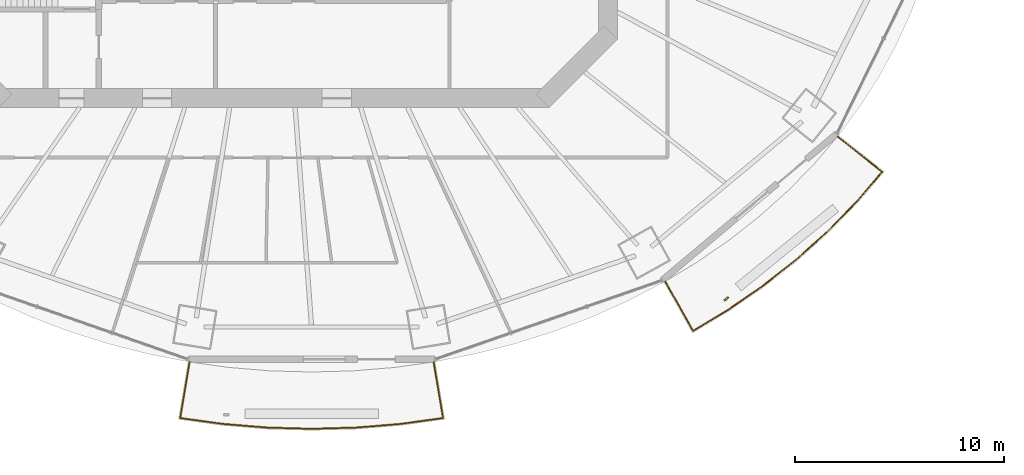
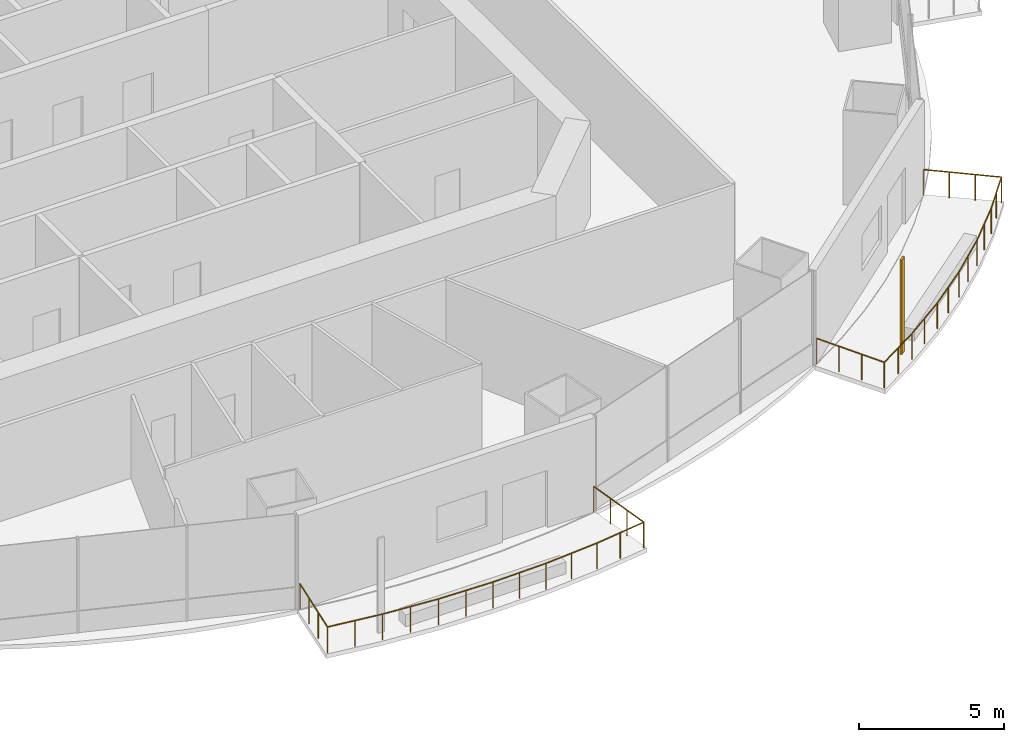
# One storey, part 15 of 19: 2 railings, 1 shading device.
"""IFC4 building model written with IfcOpenShell, lengths in metres."""

from ifc_helpers import new_model, si_unit, direction, frame, origin, origin_2d, place, context, subcontext, project, spatial, rectangle, circle, extrude, material, material_profile, profile_set, type_object, element, save


model = new_model("IFC4")

# Units and contexts
model_context = context("Model", 3, precision=1e-05, world=origin(), true_north=direction((0.0, 1.0)))
body_context = subcontext(model_context, "Body", "Model", "MODEL_VIEW")
ifc_project = project(units=[si_unit("LENGTHUNIT", "METRE"), si_unit("AREAUNIT", "SQUARE_METRE"), si_unit("VOLUMEUNIT", "CUBIC_METRE"), si_unit("PLANEANGLEUNIT", "RADIAN"), si_unit("MASSUNIT", "GRAM", prefix="KILO")], contexts=[model_context])

# Site, building, storey
site_placement = place(None, origin())
site = spatial("IfcSite", under=ifc_project, at=site_placement, CompositionType="ELEMENT")
building_placement = place(site_placement, origin())
building = spatial("IfcBuilding", under=site, at=building_placement, Name="Marenthal Gate Tower", CompositionType="ELEMENT")
storey_placement = place(building_placement, frame((0.0, 0.0, 239.89990234375)))
storey = spatial("IfcBuildingStorey", under=building, at=storey_placement, Name="L53", CompositionType="ELEMENT", Elevation=239.89990234375)

# Railings
ifc_material_1 = material(Name="Stainless steel", Category="steel")
railing_type = type_object("IfcRailingType", Name="Balcony guard 1100", PredefinedType="GUARDRAIL", material=ifc_material_1)
railing_1_placement = place(storey_placement, frame((7.64501953125, -25.641845703125, 0.0)))
element("IfcRailing", 1, at=railing_1_placement, inside=storey, type_object=railing_type, Name="Balcony guard L53 bay 12", PredefinedType="GUARDRAIL", context=body_context, shape_type="SweptSolid", body=[
    extrude(circle(Radius=0.02392578125, at=origin_2d()), frame((0.0, 0.0, 1.076171875), z_axis=(0.164948938016, -0.986193623428, -0.014628224645), x_axis=(0.986299155665, 0.164966589145, 0.0)), (0.0, 0.0, 1.0), 2.720458984375),
    extrude(circle(Radius=0.02392578125, at=origin_2d()), frame((0.44873046875, -2.682861328125, 1.0361328125), z_axis=(-0.990660551033, -0.13635128392, 0.0), x_axis=(0.13635128392, -0.990660551033, 0.0)), (0.0, 0.0, 1.0), 2.050048828125),
    extrude(circle(Radius=0.02392578125, at=origin_2d()), frame((-1.582275390625, -2.96240234375, 1.0361328125), z_axis=(-0.996592931449, -0.082477445314, 0.0), x_axis=(0.082477445314, -0.996592931449, 0.0)), (0.0, 0.0, 1.0), 2.13427734375),
    extrude(circle(Radius=0.02392578125, at=origin_2d()), frame((-3.709228515625, -3.138427734375, 1.0361328125), z_axis=(-0.999620737923, -0.027538705743, 0.0), x_axis=(0.027538705743, -0.999620737923, 0.0)), (0.0, 0.0, 1.0), 2.136474609375),
    extrude(circle(Radius=0.02392578125, at=origin_2d()), frame((-5.844970703125, -3.197265625, 1.0361328125), z_axis=(-0.999620737923, 0.027538705743, 0.0), x_axis=(-0.027538705743, -0.999620737923, 0.0)), (0.0, 0.0, 1.0), 2.136474609375),
    extrude(circle(Radius=0.02392578125, at=origin_2d()), frame((-7.980712890625, -3.138427734375, 1.0361328125), z_axis=(-0.996593709479, 0.082468043674, 0.0), x_axis=(-0.082468043674, -0.996593709479, 0.0)), (0.0, 0.0, 1.0), 2.134521484375),
    extrude(circle(Radius=0.02392578125, at=origin_2d()), frame((-10.10791015625, -2.96240234375, 1.0361328125), z_axis=(-0.990660551033, 0.13635128392, 0.0), x_axis=(-0.13635128392, -0.990660551033, 0.0)), (0.0, 0.0, 1.0), 2.050048828125),
    extrude(circle(Radius=0.02392578125, at=origin_2d()), frame((-12.138916015625, -2.682861328125, 1.0361328125), z_axis=(0.165036238026, 0.986179021029, 0.014628008047), x_axis=(-0.986284548578, 0.165053897974, 0.0)), (0.0, 0.0, 1.0), 2.720458984375),
    extrude(circle(Radius=0.02099609375, at=origin_2d()), origin(), (0.0, 0.0, 1.0), 1.052001953125),
    extrude(circle(Radius=0.02099609375, at=origin_2d()), frame((0.149658203125, -0.894287109375, -0.01318359375)), (0.0, 0.0, 1.0), 1.052001953125),
    extrude(circle(Radius=0.02099609375, at=origin_2d()), frame((0.299072265625, -1.78857421875, -0.026611328125)), (0.0, 0.0, 1.0), 1.052001953125),
    extrude(circle(Radius=0.02099609375, at=origin_2d()), frame((0.44873046875, -2.682861328125, -0.039794921875)), (0.0, 0.0, 1.0), 1.052001953125),
    extrude(circle(Radius=0.02099609375, at=origin_2d()), frame((-0.56689453125, -2.82275390625, -0.039794921875)), (0.0, 0.0, 1.0), 1.052001953125),
    extrude(circle(Radius=0.02099609375, at=origin_2d()), frame((-1.582275390625, -2.96240234375, -0.039794921875)), (0.0, 0.0, 1.0), 1.052001953125),
    extrude(circle(Radius=0.02099609375, at=origin_2d()), frame((-2.645751953125, -3.05029296875, -0.039794921875)), (0.0, 0.0, 1.0), 1.052001953125),
    extrude(circle(Radius=0.02099609375, at=origin_2d()), frame((-3.709228515625, -3.138427734375, -0.039794921875)), (0.0, 0.0, 1.0), 1.052001953125),
    extrude(circle(Radius=0.02099609375, at=origin_2d()), frame((-4.777099609375, -3.16796875, -0.039794921875)), (0.0, 0.0, 1.0), 1.052001953125),
    extrude(circle(Radius=0.02099609375, at=origin_2d()), frame((-5.844970703125, -3.197265625, -0.039794921875)), (0.0, 0.0, 1.0), 1.052001953125),
    extrude(circle(Radius=0.02099609375, at=origin_2d()), frame((-6.912841796875, -3.16796875, -0.039794921875)), (0.0, 0.0, 1.0), 1.052001953125),
    extrude(circle(Radius=0.02099609375, at=origin_2d()), frame((-7.980712890625, -3.138427734375, -0.039794921875)), (0.0, 0.0, 1.0), 1.052001953125),
    extrude(circle(Radius=0.02099609375, at=origin_2d()), frame((-9.04443359375, -3.05029296875, -0.039794921875)), (0.0, 0.0, 1.0), 1.052001953125),
    extrude(circle(Radius=0.02099609375, at=origin_2d()), frame((-10.10791015625, -2.96240234375, -0.039794921875)), (0.0, 0.0, 1.0), 1.052001953125),
    extrude(circle(Radius=0.02099609375, at=origin_2d()), frame((-11.12353515625, -2.82275390625, -0.039794921875)), (0.0, 0.0, 1.0), 1.052001953125),
    extrude(circle(Radius=0.02099609375, at=origin_2d()), frame((-12.138916015625, -2.682861328125, -0.039794921875)), (0.0, 0.0, 1.0), 1.052001953125),
    extrude(circle(Radius=0.02099609375, at=origin_2d()), frame((-11.9892578125, -1.78857421875, -0.026611328125)), (0.0, 0.0, 1.0), 1.052001953125),
    extrude(circle(Radius=0.02099609375, at=origin_2d()), frame((-11.839599609375, -0.894287109375, -0.01318359375)), (0.0, 0.0, 1.0), 1.052001953125),
    extrude(circle(Radius=0.02099609375, at=origin_2d()), frame((-11.68994140625, 0.0, 0.0)), (0.0, 0.0, 1.0), 1.052001953125),
])
railing_2_placement = place(storey_placement, frame((26.997802734375, -14.84033203125, 0.0)))
element("IfcRailing", 2, at=railing_2_placement, inside=storey, type_object=railing_type, Name="Balcony guard L53 bay 14", PredefinedType="GUARDRAIL", context=body_context, shape_type="SweptSolid", body=[
    extrude(circle(Radius=0.02392578125, at=origin_2d()), frame((0.0, 0.0, 1.076171875), z_axis=(0.782978191442, -0.621877107806, -0.014629234893), x_axis=(0.621943663853, 0.783061989241, 0.0)), (0.0, 0.0, 1.0), 2.72021484375),
    extrude(circle(Radius=0.02392578125, at=origin_2d()), frame((2.1298828125, -1.691650390625, 1.0361328125), z_axis=(-0.649918406787, -0.760003989805, 0.0), x_axis=(0.760003989805, -0.649918406787, 0.0)), (0.0, 0.0, 1.0), 1.889404296875),
    extrude(circle(Radius=0.02392578125, at=origin_2d()), frame((0.90185546875, -3.127685546875, 1.0361328125), z_axis=(-0.698634154887, -0.715479082591, 0.0), x_axis=(0.715479082591, -0.698634154887, 0.0)), (0.0, 0.0, 1.0), 1.985595703125),
    extrude(circle(Radius=0.02392578125, at=origin_2d()), frame((-0.4853515625, -4.54833984375, 1.0361328125), z_axis=(-0.74417856937, -0.667980730927, 0.0), x_axis=(0.667980730927, -0.74417856937, 0.0)), (0.0, 0.0, 1.0), 2.00244140625),
    extrude(circle(Radius=0.02392578125, at=origin_2d()), frame((-1.9755859375, -5.885986328125, 1.0361328125), z_axis=(-0.785764137511, -0.618526248595, 0.0), x_axis=(0.618526248595, -0.785764137511, 0.0)), (0.0, 0.0, 1.0), 2.01904296875),
    extrude(circle(Radius=0.02392578125, at=origin_2d()), frame((-3.56201171875, -7.134765625, 1.0361328125), z_axis=(-0.823201188943, -0.567749771046, 0.0), x_axis=(0.567749771046, -0.823201188943, 0.0)), (0.0, 0.0, 1.0), 2.03564453125),
    extrude(circle(Radius=0.02392578125, at=origin_2d()), frame((-5.23779296875, -8.29052734375, 1.0361328125), z_axis=(-0.855948649987, -0.517060836445, 0.0), x_axis=(0.517060836445, -0.855948649987, 0.0)), (0.0, 0.0, 1.0), 1.9716796875),
    extrude(circle(Radius=0.02392578125, at=origin_2d()), frame((-6.925537109375, -9.31005859375, 1.0361328125), z_axis=(-0.489829514124, 0.871695505806, 0.014628473947), x_axis=(-0.871788788819, -0.489881932397, 0.0)), (0.0, 0.0, 1.0), 2.720458984375),
    extrude(circle(Radius=0.02099609375, at=origin_2d()), origin(), (0.0, 0.0, 1.0), 1.052001953125),
    extrude(circle(Radius=0.02099609375, at=origin_2d()), frame((0.7099609375, -0.56396484375, -0.01318359375)), (0.0, 0.0, 1.0), 1.052001953125),
    extrude(circle(Radius=0.02099609375, at=origin_2d()), frame((1.419921875, -1.127685546875, -0.026611328125)), (0.0, 0.0, 1.0), 1.052001953125),
    extrude(circle(Radius=0.02099609375, at=origin_2d()), frame((2.1298828125, -1.691650390625, -0.039794921875)), (0.0, 0.0, 1.0), 1.052001953125),
    extrude(circle(Radius=0.02099609375, at=origin_2d()), frame((1.515869140625, -2.40966796875, -0.039794921875)), (0.0, 0.0, 1.0), 1.052001953125),
    extrude(circle(Radius=0.02099609375, at=origin_2d()), frame((0.90185546875, -3.127685546875, -0.039794921875)), (0.0, 0.0, 1.0), 1.052001953125),
    extrude(circle(Radius=0.02099609375, at=origin_2d()), frame((0.208251953125, -3.837890625, -0.039794921875)), (0.0, 0.0, 1.0), 1.052001953125),
    extrude(circle(Radius=0.02099609375, at=origin_2d()), frame((-0.4853515625, -4.54833984375, -0.039794921875)), (0.0, 0.0, 1.0), 1.052001953125),
    extrude(circle(Radius=0.02099609375, at=origin_2d()), frame((-1.23046875, -5.21728515625, -0.039794921875)), (0.0, 0.0, 1.0), 1.052001953125),
    extrude(circle(Radius=0.02099609375, at=origin_2d()), frame((-1.9755859375, -5.885986328125, -0.039794921875)), (0.0, 0.0, 1.0), 1.052001953125),
    extrude(circle(Radius=0.02099609375, at=origin_2d()), frame((-2.768798828125, -6.51025390625, -0.039794921875)), (0.0, 0.0, 1.0), 1.052001953125),
    extrude(circle(Radius=0.02099609375, at=origin_2d()), frame((-3.56201171875, -7.134765625, -0.039794921875)), (0.0, 0.0, 1.0), 1.052001953125),
    extrude(circle(Radius=0.02099609375, at=origin_2d()), frame((-4.39990234375, -7.712646484375, -0.039794921875)), (0.0, 0.0, 1.0), 1.052001953125),
    extrude(circle(Radius=0.02099609375, at=origin_2d()), frame((-5.23779296875, -8.29052734375, -0.039794921875)), (0.0, 0.0, 1.0), 1.052001953125),
    extrude(circle(Radius=0.02099609375, at=origin_2d()), frame((-6.08154296875, -8.80029296875, -0.039794921875)), (0.0, 0.0, 1.0), 1.052001953125),
    extrude(circle(Radius=0.02099609375, at=origin_2d()), frame((-6.925537109375, -9.31005859375, -0.039794921875)), (0.0, 0.0, 1.0), 1.052001953125),
    extrude(circle(Radius=0.02099609375, at=origin_2d()), frame((-7.36962890625, -8.51953125, -0.026611328125)), (0.0, 0.0, 1.0), 1.052001953125),
    extrude(circle(Radius=0.02099609375, at=origin_2d()), frame((-7.81396484375, -7.729248046875, -0.01318359375)), (0.0, 0.0, 1.0), 1.052001953125),
    extrude(circle(Radius=0.02099609375, at=origin_2d()), frame((-8.258056640625, -6.938720703125, 0.0)), (0.0, 0.0, 1.0), 1.052001953125),
])

# Shading device
ifc_material_2 = material(Name="Terracotta", Category="masonry")
ifc_material_profile = material_profile(ifc_material_2, rectangle(XDim=0.25, YDim=0.080078125, at=origin_2d()), Name="Terracotta baguette 250x80")
ifc_profile_set = profile_set([ifc_material_profile], Name="Terracotta")
shading_device_type = type_object("IfcShadingDeviceType", Name="Terracotta BAGUETTE SCREEN 250x80", PredefinedType="USERDEFINED", material=ifc_profile_set)
shading_device_placement = place(storey_placement, frame((21.669189453125, -22.619140625, -0.039794921875), z_axis=(0.0, 0.0, 1.0), x_axis=(0.765469470301, 0.643472213881, 0.0)))
element("IfcShadingDevice", 3, at=shading_device_placement, inside=storey, type_object=shading_device_type, Name="Terracotta BAGUETTE L53 bay 14L", ObjectType="BAGUETTE SCREEN", PredefinedType="USERDEFINED", context=body_context, shape_type="SweptSolid", body=[
    extrude(rectangle(XDim=0.25, YDim=0.080078125, at=origin_2d()), origin(), (0.0, 0.0, 1.0), 3.969970703125),
])

save(model, "model.ifc")
